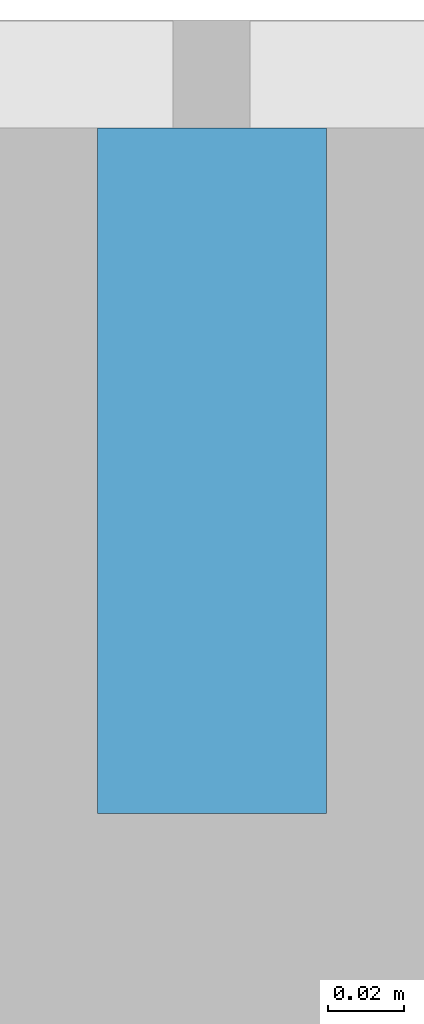
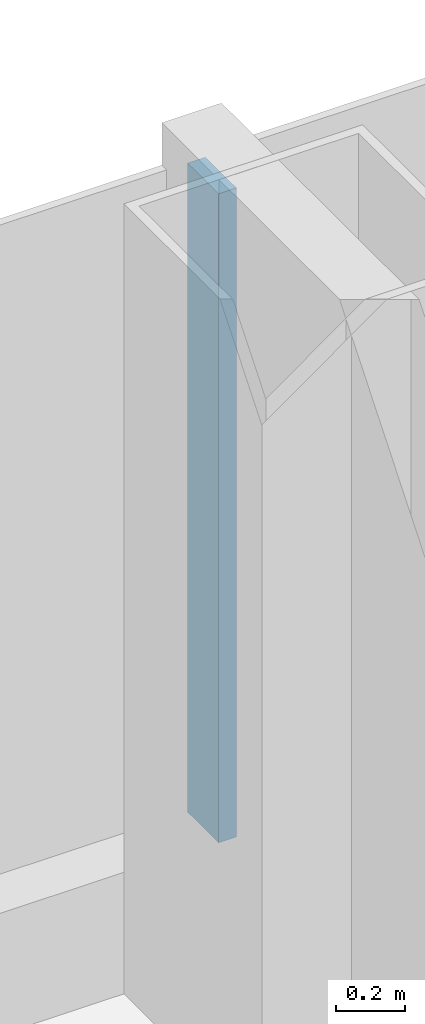
# One storey, part 8 of 29: 1 member, 1 element without a shape of its own.
"""IFC4 building model written with IfcOpenShell, lengths in metres."""

from ifc_helpers import new_model, si_unit, direction, frame, origin, origin_2d, place, context, subcontext, project, spatial, rectangle, extrude, material, layer, layer_set, material_profile, profile_set, type_object, element, aggregate, save


model = new_model("IFC4")

# Units and contexts
model_context = context("Model", 3, precision=1e-05, world=origin(), true_north=direction((0.0, 1.0)))
body_context = subcontext(model_context, "Body", "Model", "MODEL_VIEW")
ifc_project = project(units=[si_unit("LENGTHUNIT", "METRE"), si_unit("AREAUNIT", "SQUARE_METRE"), si_unit("VOLUMEUNIT", "CUBIC_METRE"), si_unit("PLANEANGLEUNIT", "RADIAN"), si_unit("MASSUNIT", "GRAM", prefix="KILO")], contexts=[model_context])

# Site, building, storey
site_placement = place(None, origin())
site = spatial("IfcSite", under=ifc_project, at=site_placement, CompositionType="ELEMENT")
building_placement = place(site_placement, origin())
building = spatial("IfcBuilding", under=site, at=building_placement, Name="Hakoniwa Tower and Hamabe Station Hall", CompositionType="ELEMENT")
storey_placement = place(building_placement, frame((0.0, 0.0, 113.800048828125)))
storey = spatial("IfcBuildingStorey", under=building, at=storey_placement, Name="L32", CompositionType="ELEMENT", Elevation=113.800048828125)

# Curtain wall, member
ifc_material_1 = material(Name="Dark low-e laminated glass", Category="glass")
ifc_layer = layer(ifc_material_1, 0.199951171875)
ifc_layer_set = layer_set([ifc_layer], Name="CW-1 UNITISED GUEST")
curtain_wall_type = type_object("IfcCurtainWallType", Name="CW-1 UNITISED GUEST", PredefinedType="NOTDEFINED", material=ifc_layer_set)
curtain_wall_placement = place(storey_placement, origin())
curtain_wall = element("IfcCurtainWall", 1, at=curtain_wall_placement, inside=storey, type_object=curtain_wall_type, Name="CW-1 curtain wall", PredefinedType="NOTDEFINED")
ifc_material_2 = material(Name="Aluminium 6063-T5 black anodised", Category="aluminium")
ifc_material_profile = material_profile(ifc_material_2, rectangle(XDim=0.06005859375, YDim=0.179931640625, at=origin_2d()), Name="CW-1 MULLION 60X180")
ifc_profile_set = profile_set([ifc_material_profile], Name="Aluminium 6063-T5 black anodised")
member_type = type_object("IfcMemberType", Name="CW-1 MULLION 60X180", PredefinedType="MULLION", material=ifc_profile_set)
member_placement = place(storey_placement, frame((-8.39990234375, 23.431884765625, 0.349853515625), z_axis=(0.0, 0.0, 1.0), x_axis=(-1.0, 0.0, 0.0)))
member = element("IfcMember", 2, at=member_placement, type_object=member_type, Name="CW-1 mullion", PredefinedType="MULLION", context=body_context, shape_type="SweptSolid", body=[
    extrude(rectangle(XDim=0.06005859375, YDim=0.179931640625, at=origin_2d()), origin(), (0.0, 0.0, 1.0), 2.300048828125),
])
aggregate(curtain_wall, [member])

save(model, "model.ifc")
